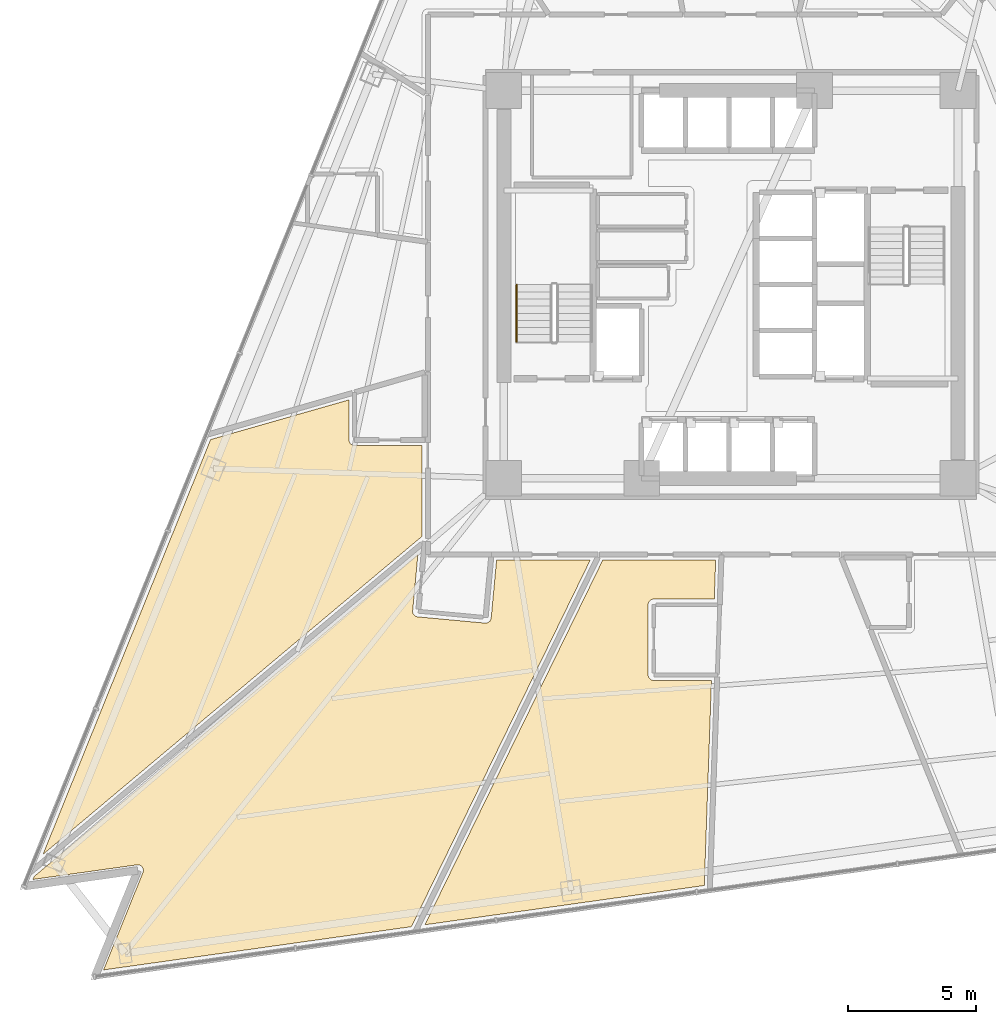
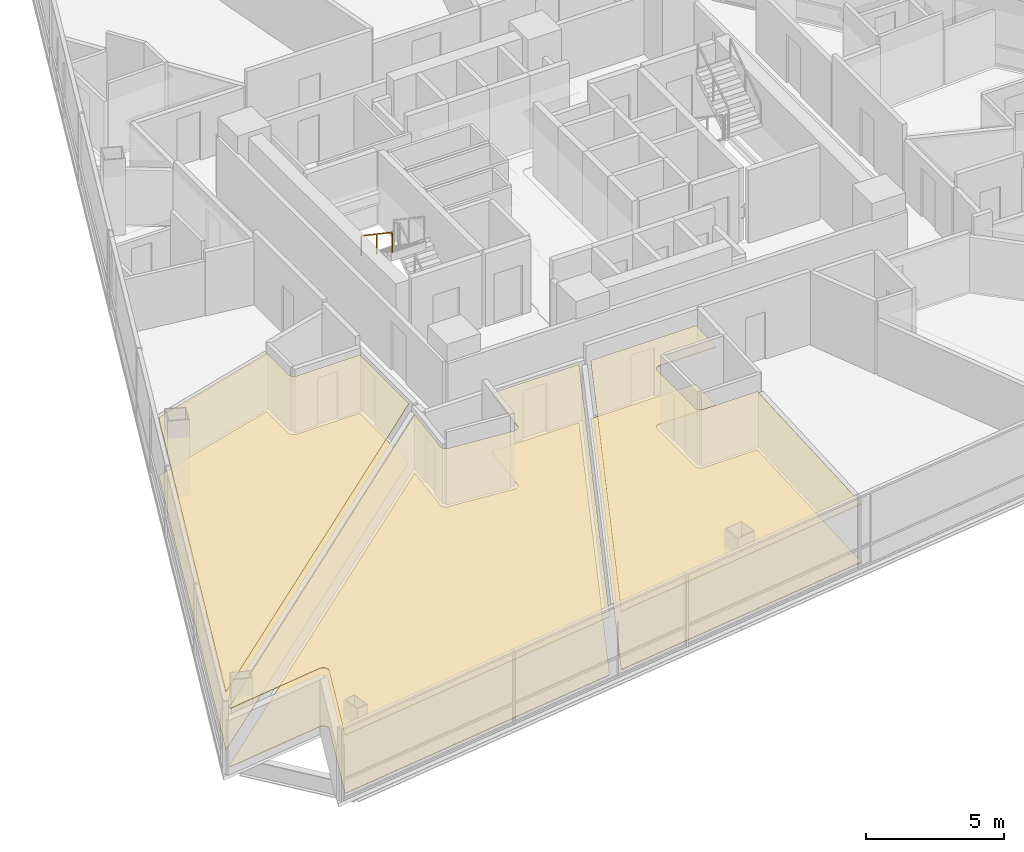
# One storey, part 11 of 15: 6 coverings, 1 railing.
"""IFC4 building model written with IfcOpenShell, lengths in metres."""

from ifc_helpers import new_model, si_unit, direction, frame, origin, origin_2d, place, context, subcontext, project, spatial, polyline, rectangle, outline, extrude, material, layer, layer_set, type_object, element, save


model = new_model("IFC4")

# Units and contexts
model_context = context("Model", 3, precision=1e-05, world=origin(), true_north=direction((0.0, 1.0)))
body_context = subcontext(model_context, "Body", "Model", "MODEL_VIEW")
ifc_project = project(units=[si_unit("LENGTHUNIT", "METRE"), si_unit("AREAUNIT", "SQUARE_METRE"), si_unit("VOLUMEUNIT", "CUBIC_METRE"), si_unit("PLANEANGLEUNIT", "RADIAN"), si_unit("MASSUNIT", "GRAM", prefix="KILO")], contexts=[model_context])

# Site, building, storey
site_placement = place(None, origin())
site = spatial("IfcSite", under=ifc_project, at=site_placement, CompositionType="ELEMENT")
building_placement = place(site_placement, origin())
building = spatial("IfcBuilding", under=site, at=building_placement, Name="Tharavind Bronze Gate", CompositionType="ELEMENT")
storey_placement = place(building_placement, frame((0.0, 0.0, 60.449951171875)))
storey = spatial("IfcBuildingStorey", under=building, at=storey_placement, Name="L14", CompositionType="ELEMENT", Elevation=60.449951171875)

# Coverings
ifc_material_1 = material(Name="Engineered Oak & Carpet Tile", Category="wood")
ifc_layer_1 = layer(ifc_material_1, 0.02490234375)
ifc_layer_set_1 = layer_set([ifc_layer_1], Name="Engineered Oak & Carpet Tile")
covering_type_1 = type_object("IfcCoveringType", Name="ENGINEERED TIMBER FLOORING", PredefinedType="FLOORING", material=ifc_layer_set_1)
covering_1_placement = place(storey_placement, origin())
element("IfcCovering", 1, at=covering_1_placement, inside=storey, type_object=covering_type_1, Name="L14-RM-08 floor finish", PredefinedType="FLOORING", context=body_context, shape_type="SweptSolid", body=[
    extrude(outline(polyline([(-12.10009765625, -9.865966796875), (-12.10009765625, -6.310791015625), (-14.75, -6.310791015625), (-14.771484375, -6.309814453125), (-14.79296875, -6.306640625), (-14.81396484375, -6.301513671875), (-14.834228515625, -6.294189453125), (-14.853759765625, -6.284912109375), (-14.872314453125, -6.27392578125), (-14.8896484375, -6.260986328125), (-14.905517578125, -6.24658203125), (-14.920166015625, -6.23046875), (-14.932861328125, -6.213134765625), (-14.944091796875, -6.194580078125), (-14.953369140625, -6.175048828125), (-14.96044921875, -6.15478515625), (-14.9658203125, -6.1337890625), (-14.968994140625, -6.112548828125), (-14.969970703125, -6.0908203125), (-14.969970703125, -4.521484375), (-20.39306640625, -6.076416015625), (-26.962890625, -22.33740234375), (-12.10009765625, -9.865966796875)])), origin(), (0.0, 0.0, 1.0), 0.025146484375),
])
covering_2_placement = place(storey_placement, origin())
element("IfcCovering", 2, at=covering_2_placement, inside=storey, type_object=covering_type_1, Name="L14-RM-09 floor finish", PredefinedType="FLOORING", context=body_context, shape_type="SweptSolid", body=[
    extrude(outline(polyline([(-23.281982421875, -22.747802734375), (-23.271240234375, -22.74658203125), (-23.270751953125, -22.74658203125), (-23.248779296875, -22.74560546875), (-23.226806640625, -22.7470703125), (-23.205078125, -22.75048828125), (-23.18408203125, -22.756103515625), (-23.16357421875, -22.763916015625), (-23.143798828125, -22.7734375), (-23.125244140625, -22.78515625), (-23.10791015625, -22.798583984375), (-23.091796875, -22.813720703125), (-23.07763671875, -22.830078125), (-23.06494140625, -22.84814453125), (-23.05419921875, -22.8671875), (-23.04541015625, -22.88720703125), (-23.03857421875, -22.908203125), (-23.033935546875, -22.9296875), (-23.031494140625, -22.951416015625), (-23.031005859375, -22.973388671875), (-23.032958984375, -22.9951171875), (-23.037109375, -23.0166015625), (-23.043212890625, -23.037841796875), (-23.043212890625, -23.038330078125), (-23.047119140625, -23.048583984375), (-24.58984375, -26.866943359375), (-12.521484375, -25.1708984375), (-5.51220703125, -10.800048828125), (-9.185546875, -10.800048828125), (-9.39697265625, -13.0732421875), (-9.400146484375, -13.094482421875), (-9.4052734375, -13.115478515625), (-9.412353515625, -13.135986328125), (-9.42138671875, -13.155517578125), (-9.4326171875, -13.174072265625), (-9.4453125, -13.19140625), (-9.459716796875, -13.20751953125), (-9.4755859375, -13.22216796875), (-9.492919921875, -13.235107421875), (-9.51123046875, -13.246337890625), (-9.53076171875, -13.255615234375), (-9.551025390625, -13.262939453125), (-9.572021484375, -13.268310546875), (-9.593505859375, -13.271484375), (-9.614990234375, -13.272705078125), (-9.636474609375, -13.27197265625), (-12.275146484375, -13.0263671875), (-12.29638671875, -13.0234375), (-12.3173828125, -13.018310546875), (-12.337890625, -13.010986328125), (-12.357421875, -13.001953125), (-12.3759765625, -12.990966796875), (-12.393310546875, -12.978271484375), (-12.409423828125, -12.9638671875), (-12.424072265625, -12.947998046875), (-12.43701171875, -12.9306640625), (-12.4482421875, -12.912109375), (-12.45751953125, -12.892578125), (-12.46484375, -12.872314453125), (-12.47021484375, -12.8515625), (-12.473388671875, -12.830078125), (-12.474609375, -12.80859375), (-12.473876953125, -12.787109375), (-12.2685546875, -10.581787109375), (-27.314208984375, -23.206298828125), (-27.3603515625, -23.321044921875), (-23.281982421875, -22.747802734375)])), origin(), (0.0, 0.0, 1.0), 0.025146484375),
])
covering_3_placement = place(storey_placement, origin())
element("IfcCovering", 3, at=covering_3_placement, inside=storey, type_object=covering_type_1, Name="L14-RM-10 floor finish", PredefinedType="FLOORING", context=body_context, shape_type="SweptSolid", body=[
    extrude(outline(polyline([(-1.042724609375, -23.5576171875), (-0.76220703125, -15.52001953125), (-3.023681640625, -15.52001953125), (-3.045166015625, -15.518798828125), (-3.066650390625, -15.515869140625), (-3.08740234375, -15.510498046875), (-3.10791015625, -15.50341796875), (-3.12744140625, -15.493896484375), (-3.14599609375, -15.48291015625), (-3.1630859375, -15.47021484375), (-3.17919921875, -15.45556640625), (-3.193603515625, -15.439697265625), (-3.20654296875, -15.422119140625), (-3.2177734375, -15.40380859375), (-3.226806640625, -15.38427734375), (-3.234130859375, -15.364013671875), (-3.239501953125, -15.343017578125), (-3.24267578125, -15.321533203125), (-3.24365234375, -15.300048828125), (-3.24365234375, -12.550048828125), (-3.24267578125, -12.5283203125), (-3.239501953125, -12.507080078125), (-3.234130859375, -12.486083984375), (-3.226806640625, -12.4658203125), (-3.2177734375, -12.4462890625), (-3.20654296875, -12.427734375), (-3.193603515625, -12.410400390625), (-3.17919921875, -12.394287109375), (-3.1630859375, -12.3798828125), (-3.14599609375, -12.3671875), (-3.12744140625, -12.35595703125), (-3.10791015625, -12.3466796875), (-3.08740234375, -12.339599609375), (-3.066650390625, -12.334228515625), (-3.045166015625, -12.3310546875), (-3.023681640625, -12.330078125), (-0.650634765625, -12.330078125), (-0.597412109375, -10.800048828125), (-5.022705078125, -10.800048828125), (-11.995849609375, -25.096923828125), (-1.042724609375, -23.5576171875)])), origin(), (0.0, 0.0, 1.0), 0.025146484375),
])
ifc_material_2 = material(Name="Acoustic Gypsum Board", Category="gypsum")
ifc_layer_2 = layer(ifc_material_2, 0.030029296875)
ifc_layer_set_2 = layer_set([ifc_layer_2], Name="Acoustic Gypsum Board")
covering_type_2 = type_object("IfcCoveringType", Name="GYPSUM SUSPENDED CEILING", PredefinedType="CEILING", material=ifc_layer_set_2)
covering_4_placement = place(storey_placement, frame((0.0, 0.0, 2.574951171875)))
element("IfcCovering", 4, at=covering_4_placement, inside=storey, type_object=covering_type_2, Name="L14-RM-08 suspended ceiling", PredefinedType="CEILING", context=body_context, shape_type="SweptSolid", body=[
    extrude(outline(polyline([(-12.10009765625, -9.865966796875), (-12.10009765625, -6.310791015625), (-14.75, -6.310791015625), (-14.771484375, -6.309814453125), (-14.79296875, -6.306640625), (-14.81396484375, -6.301513671875), (-14.834228515625, -6.294189453125), (-14.853759765625, -6.284912109375), (-14.872314453125, -6.27392578125), (-14.8896484375, -6.260986328125), (-14.905517578125, -6.24658203125), (-14.920166015625, -6.23046875), (-14.932861328125, -6.213134765625), (-14.944091796875, -6.194580078125), (-14.953369140625, -6.175048828125), (-14.96044921875, -6.15478515625), (-14.9658203125, -6.1337890625), (-14.968994140625, -6.112548828125), (-14.969970703125, -6.0908203125), (-14.969970703125, -4.521484375), (-20.39306640625, -6.076416015625), (-26.962890625, -22.33740234375), (-12.10009765625, -9.865966796875)])), origin(), (0.0, 0.0, 1.0), 0.03515625),
])
covering_5_placement = place(storey_placement, frame((0.0, 0.0, 2.574951171875)))
element("IfcCovering", 5, at=covering_5_placement, inside=storey, type_object=covering_type_2, Name="L14-RM-09 suspended ceiling", PredefinedType="CEILING", context=body_context, shape_type="SweptSolid", body=[
    extrude(outline(polyline([(-23.281982421875, -22.747802734375), (-23.271240234375, -22.74658203125), (-23.270751953125, -22.74658203125), (-23.248779296875, -22.74560546875), (-23.226806640625, -22.7470703125), (-23.205078125, -22.75048828125), (-23.18408203125, -22.756103515625), (-23.16357421875, -22.763916015625), (-23.143798828125, -22.7734375), (-23.125244140625, -22.78515625), (-23.10791015625, -22.798583984375), (-23.091796875, -22.813720703125), (-23.07763671875, -22.830078125), (-23.06494140625, -22.84814453125), (-23.05419921875, -22.8671875), (-23.04541015625, -22.88720703125), (-23.03857421875, -22.908203125), (-23.033935546875, -22.9296875), (-23.031494140625, -22.951416015625), (-23.031005859375, -22.973388671875), (-23.032958984375, -22.9951171875), (-23.037109375, -23.0166015625), (-23.043212890625, -23.037841796875), (-23.043212890625, -23.038330078125), (-23.047119140625, -23.048583984375), (-24.58984375, -26.866943359375), (-12.521484375, -25.1708984375), (-5.51220703125, -10.800048828125), (-9.185546875, -10.800048828125), (-9.39697265625, -13.0732421875), (-9.400146484375, -13.094482421875), (-9.4052734375, -13.115478515625), (-9.412353515625, -13.135986328125), (-9.42138671875, -13.155517578125), (-9.4326171875, -13.174072265625), (-9.4453125, -13.19140625), (-9.459716796875, -13.20751953125), (-9.4755859375, -13.22216796875), (-9.492919921875, -13.235107421875), (-9.51123046875, -13.246337890625), (-9.53076171875, -13.255615234375), (-9.551025390625, -13.262939453125), (-9.572021484375, -13.268310546875), (-9.593505859375, -13.271484375), (-9.614990234375, -13.272705078125), (-9.636474609375, -13.27197265625), (-12.275146484375, -13.0263671875), (-12.29638671875, -13.0234375), (-12.3173828125, -13.018310546875), (-12.337890625, -13.010986328125), (-12.357421875, -13.001953125), (-12.3759765625, -12.990966796875), (-12.393310546875, -12.978271484375), (-12.409423828125, -12.9638671875), (-12.424072265625, -12.947998046875), (-12.43701171875, -12.9306640625), (-12.4482421875, -12.912109375), (-12.45751953125, -12.892578125), (-12.46484375, -12.872314453125), (-12.47021484375, -12.8515625), (-12.473388671875, -12.830078125), (-12.474609375, -12.80859375), (-12.473876953125, -12.787109375), (-12.2685546875, -10.581787109375), (-27.314208984375, -23.206298828125), (-27.3603515625, -23.321044921875), (-23.281982421875, -22.747802734375)])), origin(), (0.0, 0.0, 1.0), 0.03515625),
])
covering_6_placement = place(storey_placement, frame((0.0, 0.0, 2.574951171875)))
element("IfcCovering", 6, at=covering_6_placement, inside=storey, type_object=covering_type_2, Name="L14-RM-10 suspended ceiling", PredefinedType="CEILING", context=body_context, shape_type="SweptSolid", body=[
    extrude(outline(polyline([(-1.042724609375, -23.5576171875), (-0.76220703125, -15.52001953125), (-3.023681640625, -15.52001953125), (-3.045166015625, -15.518798828125), (-3.066650390625, -15.515869140625), (-3.08740234375, -15.510498046875), (-3.10791015625, -15.50341796875), (-3.12744140625, -15.493896484375), (-3.14599609375, -15.48291015625), (-3.1630859375, -15.47021484375), (-3.17919921875, -15.45556640625), (-3.193603515625, -15.439697265625), (-3.20654296875, -15.422119140625), (-3.2177734375, -15.40380859375), (-3.226806640625, -15.38427734375), (-3.234130859375, -15.364013671875), (-3.239501953125, -15.343017578125), (-3.24267578125, -15.321533203125), (-3.24365234375, -15.300048828125), (-3.24365234375, -12.550048828125), (-3.24267578125, -12.5283203125), (-3.239501953125, -12.507080078125), (-3.234130859375, -12.486083984375), (-3.226806640625, -12.4658203125), (-3.2177734375, -12.4462890625), (-3.20654296875, -12.427734375), (-3.193603515625, -12.410400390625), (-3.17919921875, -12.394287109375), (-3.1630859375, -12.3798828125), (-3.14599609375, -12.3671875), (-3.12744140625, -12.35595703125), (-3.10791015625, -12.3466796875), (-3.08740234375, -12.339599609375), (-3.066650390625, -12.334228515625), (-3.045166015625, -12.3310546875), (-3.023681640625, -12.330078125), (-0.650634765625, -12.330078125), (-0.597412109375, -10.800048828125), (-5.022705078125, -10.800048828125), (-11.995849609375, -25.096923828125), (-1.042724609375, -23.5576171875)])), origin(), (0.0, 0.0, 1.0), 0.03515625),
])

# Railing
ifc_material_3 = material(Name="Brushed Bronze Alloy", Category="metal")
railing_type = type_object("IfcRailingType", Name="STAIR BRONZE HANDRAIL 900", PredefinedType="HANDRAIL", material=ifc_material_3)
railing_placement = place(storey_placement, frame((-8.39990234375, -0.010009765625, 1.888916015625)))
element("IfcRailing", 7, at=railing_placement, inside=storey, type_object=railing_type, Name="L14 ST1 stair handrail 2", PredefinedType="HANDRAIL", context=body_context, shape_type="SweptSolid", body=[
    extrude(rectangle(XDim=0.048095703125, YDim=0.048095703125, at=origin_2d()), frame((0.0, -0.026611328125, 0.893798828125), z_axis=(0.0, -0.828979582247, 0.559278868023), x_axis=(1.0, 0.0, 0.0)), (0.0, 0.0, 1.0), 2.63818359375),
    extrude(rectangle(XDim=0.0400390625, YDim=0.0400390625, at=origin_2d()), origin(), (0.0, 0.0, 1.0), 0.847900390625),
    extrude(rectangle(XDim=0.0400390625, YDim=0.0400390625, at=origin_2d()), frame((0.0, -1.1201171875, 0.755615234375)), (0.0, 0.0, 1.0), 0.847900390625),
    extrude(rectangle(XDim=0.0400390625, YDim=0.0400390625, at=origin_2d()), frame((0.0, -2.239990234375, 1.51123046875)), (0.0, 0.0, 1.0), 0.847900390625),
])

save(model, "model.ifc")
